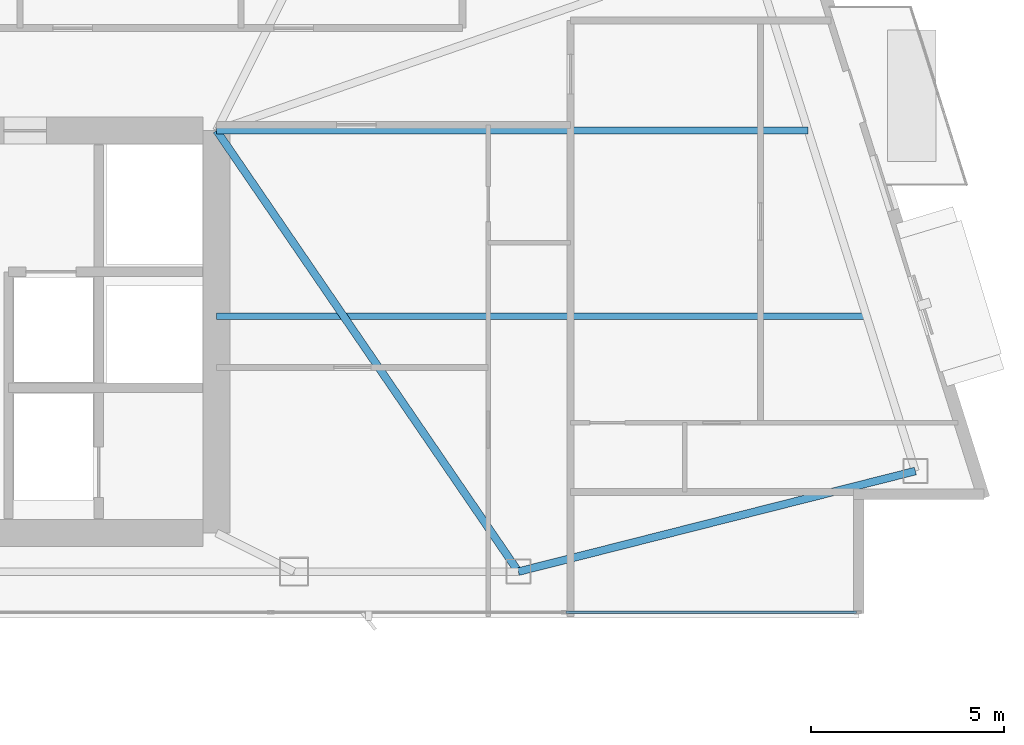
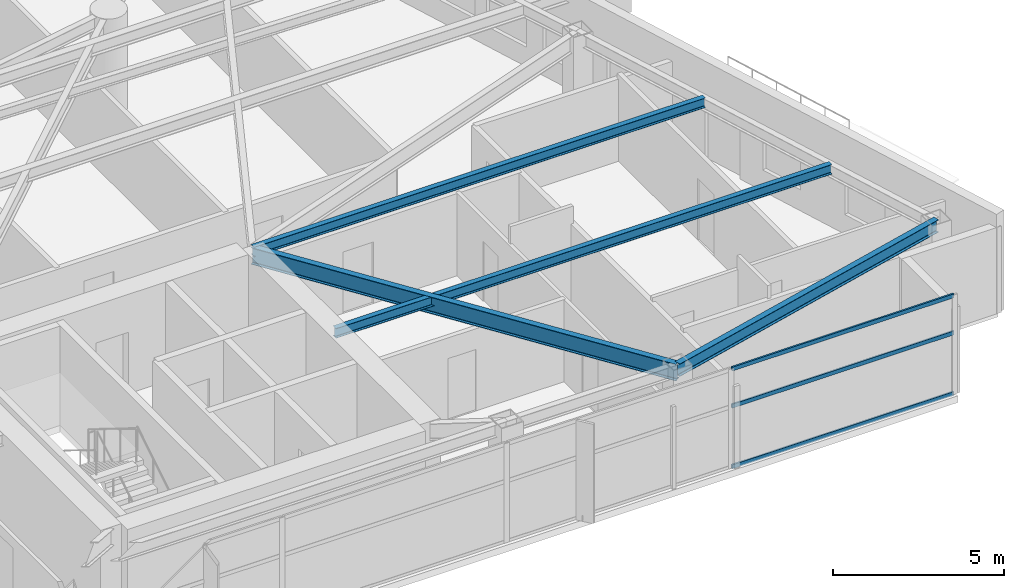
# One storey, part 14 of 30: 4 beams, 3 members, 1 element without a shape of its own.
"""IFC4 building model written with IfcOpenShell, lengths in metres."""

from ifc_helpers import new_model, si_unit, direction, frame, origin, origin_2d, place, context, subcontext, project, spatial, hollow_rectangle, i_section, extrude, material, layer, layer_set, material_profile, profile_set, type_object, element, aggregate, save


model = new_model("IFC4")

# Units and contexts
model_context = context("Model", 3, precision=1e-05, world=origin(), true_north=direction((0.0, 1.0)))
body_context = subcontext(model_context, "Body", "Model", "MODEL_VIEW")
ifc_project = project(units=[si_unit("LENGTHUNIT", "METRE"), si_unit("AREAUNIT", "SQUARE_METRE"), si_unit("VOLUMEUNIT", "CUBIC_METRE"), si_unit("PLANEANGLEUNIT", "RADIAN"), si_unit("MASSUNIT", "GRAM", prefix="KILO")], contexts=[model_context])

# Site, building, storey
site_placement = place(None, origin())
site = spatial("IfcSite", under=ifc_project, at=site_placement, CompositionType="ELEMENT")
building_placement = place(site_placement, origin())
building = spatial("IfcBuilding", under=site, at=building_placement, Name="Calvorn Quay Hotel", CompositionType="ELEMENT")
storey_placement = place(building_placement, frame((0.0, 0.0, 203.39990234375)))
storey = spatial("IfcBuildingStorey", under=building, at=storey_placement, Name="L50", CompositionType="ELEMENT", Elevation=203.39990234375)

# Beams
ifc_material_1 = material(Name="Steel Q355B", Category="steel")
ifc_material_profile_1 = material_profile(ifc_material_1, i_section(OverallWidth=0.199951171875, OverallDepth=0.60009765625, WebThickness=0.010986328125, FlangeThickness=0.01708984375, FilletRadius=0.01806640625, at=origin_2d()), Name="HN600x200x11x17")
ifc_profile_set_1 = profile_set([ifc_material_profile_1], Name="Steel Q355B")
beam_type_1 = type_object("IfcBeamType", Name="BM-GIRD-TYP", PredefinedType="BEAM", material=ifc_profile_set_1)
beam_1_placement = place(storey_placement, frame((40.199951171875, 3.60009765625, 3.239990234375), z_axis=(-0.564689618177, 0.825303359452, 0.0), x_axis=(-0.825303359452, -0.564689618177, 0.0)))
element("IfcBeam", 1, at=beam_1_placement, inside=storey, type_object=beam_type_1, Name="Beam BG-L50-E6", PredefinedType="BEAM", context=body_context, shape_type="SweptSolid", body=[
    extrude(i_section(OverallWidth=0.199951171875, OverallDepth=0.60009765625, WebThickness=0.010986328125, FlangeThickness=0.01708984375, FilletRadius=0.01806640625, at=origin_2d()), origin(), (0.0, 0.0, 1.0), 13.81298828125),
])
ifc_material_2 = material(Name="Steel Q355B", Category="steel")
ifc_material_profile_2 = material_profile(ifc_material_2, i_section(OverallWidth=0.175048828125, OverallDepth=0.35009765625, WebThickness=0.007080078125, FlangeThickness=0.010986328125, FilletRadius=0.013916015625, at=origin_2d()), Name="HN350x175x7x11")
ifc_profile_set_2 = profile_set([ifc_material_profile_2], Name="Steel Q355B")
beam_type_2 = type_object("IfcBeamType", Name="BM-JOIST-SEC", PredefinedType="JOIST", material=ifc_profile_set_2)
beam_2_placement = place(storey_placement, frame((32.39990234375, 10.199951171875, 3.364990234375), z_axis=(1.0, 0.0, 0.0), x_axis=(0.0, 1.0, 0.0)))
element("IfcBeam", 2, at=beam_2_placement, inside=storey, type_object=beam_type_2, Name="Beam BJ-L50-E1", PredefinedType="JOIST", context=body_context, shape_type="SweptSolid", body=[
    extrude(i_section(OverallWidth=0.175048828125, OverallDepth=0.35009765625, WebThickness=0.007080078125, FlangeThickness=0.010986328125, FilletRadius=0.013916015625, at=origin_2d()), origin(), (0.0, 0.0, 1.0), 16.801025390625),
])
beam_3_placement = place(storey_placement, frame((32.39990234375, 15.0, 3.364990234375), z_axis=(1.0, 0.0, 0.0), x_axis=(0.0, 1.0, 0.0)))
element("IfcBeam", 3, at=beam_3_placement, inside=storey, type_object=beam_type_2, Name="Beam BJ-L50-E2", PredefinedType="JOIST", context=body_context, shape_type="SweptSolid", body=[
    extrude(i_section(OverallWidth=0.175048828125, OverallDepth=0.35009765625, WebThickness=0.007080078125, FlangeThickness=0.010986328125, FilletRadius=0.013916015625, at=origin_2d()), origin(), (0.0, 0.0, 1.0), 15.2880859375),
])
ifc_material_3 = material(Name="Steel Q355B", Category="steel")
ifc_material_profile_3 = material_profile(ifc_material_3, i_section(OverallWidth=0.199951171875, OverallDepth=0.449951171875, WebThickness=0.009033203125, FlangeThickness=0.013916015625, FilletRadius=0.01611328125, at=origin_2d()), Name="HN450x200x9x14")
ifc_profile_set_3 = profile_set([ifc_material_profile_3], Name="Steel Q355B")
beam_type_3 = type_object("IfcBeamType", Name="BM-SPANDREL-Z3", PredefinedType="SPANDREL", material=ifc_profile_set_3)
beam_4_placement = place(storey_placement, frame((40.199951171875, 3.60009765625, 3.315185546875), z_axis=(0.969368358966, 0.245611450537, 0.0), x_axis=(-0.245611450537, 0.969368358966, 0.0)))
element("IfcBeam", 4, at=beam_4_placement, inside=storey, type_object=beam_type_3, Name="Beam BSP-L50-S5", PredefinedType="SPANDREL", context=body_context, shape_type="SweptSolid", body=[
    extrude(i_section(OverallWidth=0.199951171875, OverallDepth=0.449951171875, WebThickness=0.009033203125, FlangeThickness=0.013916015625, FilletRadius=0.01611328125, at=origin_2d()), origin(), (0.0, 0.0, 1.0), 10.585205078125),
])

# Curtain wall, members
ifc_material_4 = material(Name="Champagne Bronze Anodised Aluminium and Low-E Glass", Category="aluminium")
ifc_layer = layer(ifc_material_4, 0.219970703125)
ifc_layer_set = layer_set([ifc_layer], Name="CW-SYS-Z3")
curtain_wall_type = type_object("IfcCurtainWallType", Name="CW-SYS-Z3", PredefinedType="NOTDEFINED", material=ifc_layer_set)
curtain_wall_placement = place(storey_placement, origin())
curtain_wall = element("IfcCurtainWall", 5, at=curtain_wall_placement, inside=storey, type_object=curtain_wall_type, Name="Tower South Waterfront Curtain Wall (L50)", PredefinedType="NOTDEFINED")
ifc_material_5 = material(Name="Champagne Bronze Anodised Aluminium 6063-T6", Category="aluminium")
ifc_material_profile_4 = material_profile(ifc_material_5, hollow_rectangle(XDim=0.05810546875, YDim=0.139892578125, WallThickness=0.003173828125, at=origin_2d()), Name="ALU-T140x58x3.2")
ifc_profile_set_4 = profile_set([ifc_material_profile_4], Name="Champagne Bronze Anodised Aluminium 6063-T6")
member_type = type_object("IfcMemberType", Name="CW-SYS-Z3-TRN", PredefinedType="USERDEFINED", material=ifc_profile_set_4)
member_1_placement = place(storey_placement, frame((41.429931640625, 2.550048828125, 0.030029296875), z_axis=(1.0, 0.0, 0.0), x_axis=(0.0, 1.0, 0.0)))
member_1 = element("IfcMember", 6, at=member_1_placement, type_object=member_type, Name="CW-L50-S transom 5.1", ObjectType="TRANSOM", PredefinedType="USERDEFINED", context=body_context, shape_type="SweptSolid", body=[
    extrude(hollow_rectangle(XDim=0.05810546875, YDim=0.139892578125, WallThickness=0.003173828125, at=origin_2d()), origin(), (0.0, 0.0, 1.0), 7.510009765625),
])
member_2_placement = place(storey_placement, frame((41.429931640625, 2.550048828125, 2.2001953125), z_axis=(1.0, 0.0, 0.0), x_axis=(0.0, 1.0, 0.0)))
member_2 = element("IfcMember", 7, at=member_2_placement, type_object=member_type, Name="CW-L50-S transom 5.2", ObjectType="TRANSOM", PredefinedType="USERDEFINED", context=body_context, shape_type="SweptSolid", body=[
    extrude(hollow_rectangle(XDim=0.05810546875, YDim=0.139892578125, WallThickness=0.003173828125, at=origin_2d()), origin(), (0.0, 0.0, 1.0), 7.510009765625),
])
member_3_placement = place(storey_placement, frame((41.429931640625, 2.550048828125, 3.530029296875), z_axis=(1.0, 0.0, 0.0), x_axis=(0.0, 1.0, 0.0)))
member_3 = element("IfcMember", 8, at=member_3_placement, type_object=member_type, Name="CW-L50-S transom 5.3", ObjectType="TRANSOM", PredefinedType="USERDEFINED", context=body_context, shape_type="SweptSolid", body=[
    extrude(hollow_rectangle(XDim=0.05810546875, YDim=0.139892578125, WallThickness=0.003173828125, at=origin_2d()), origin(), (0.0, 0.0, 1.0), 7.510009765625),
])
aggregate(curtain_wall, [member_1, member_2, member_3])

save(model, "model.ifc")
